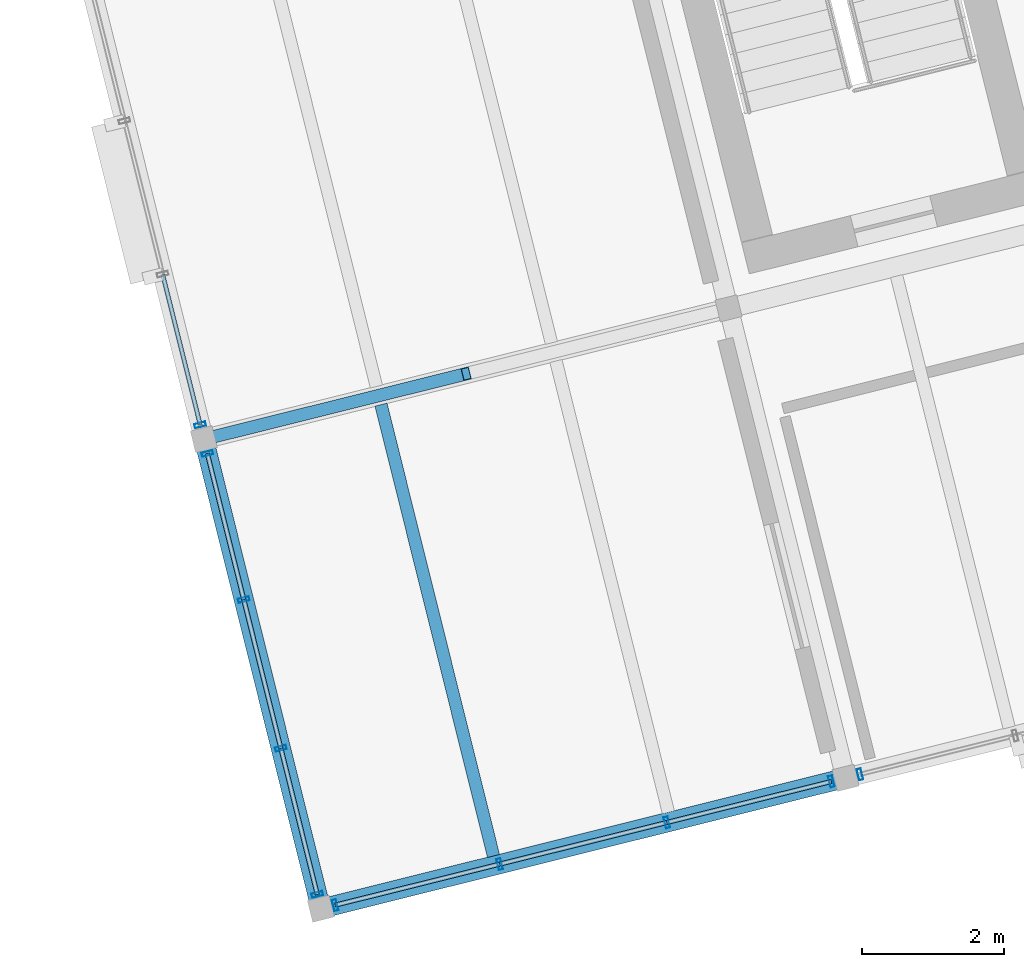
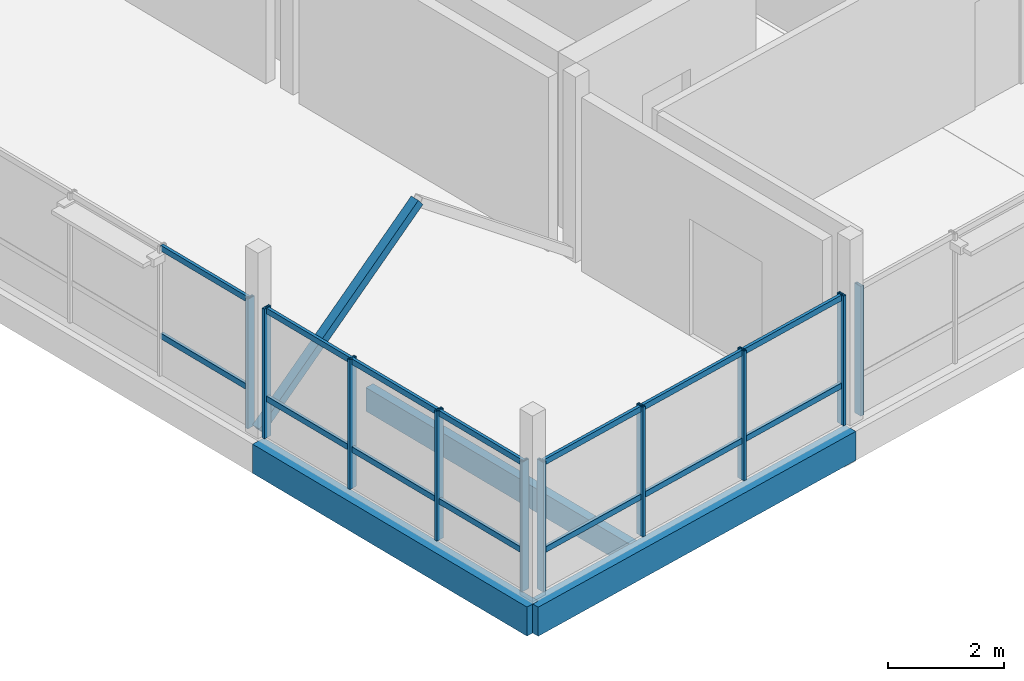
# One storey, part 2 of 24: 25 members, 3 beams, 4 elements without a shape of their own.
"""IFC4 building model written with IfcOpenShell, lengths in metres."""

from ifc_helpers import new_model, si_unit, direction, frame, origin, origin_2d, place, context, subcontext, project, spatial, rectangle, hollow_rectangle, extrude, material, layer, layer_set, material_profile, profile_set, type_object, element, aggregate, save


model = new_model("IFC4")

# Units and contexts
model_context = context("Model", 3, precision=1e-05, world=origin(), true_north=direction((0.0, 1.0)))
body_context = subcontext(model_context, "Body", "Model", "MODEL_VIEW")
ifc_project = project(units=[si_unit("LENGTHUNIT", "METRE"), si_unit("AREAUNIT", "SQUARE_METRE"), si_unit("VOLUMEUNIT", "CUBIC_METRE"), si_unit("PLANEANGLEUNIT", "RADIAN"), si_unit("MASSUNIT", "GRAM", prefix="KILO")], contexts=[model_context])

# Site, building, storey
site_placement = place(None, origin())
site = spatial("IfcSite", under=ifc_project, at=site_placement, CompositionType="ELEMENT")
building_placement = place(site_placement, origin())
building = spatial("IfcBuilding", under=site, at=building_placement, Name="Meriwether Solvik Hall", CompositionType="ELEMENT")
storey_placement = place(building_placement, frame((0.0, 0.0, 57.300048828125)))
storey = spatial("IfcBuildingStorey", under=building, at=storey_placement, Name="L14", CompositionType="ELEMENT", Elevation=57.300048828125)

# Beams
ifc_material_1 = material(Name="Glulam Douglas-Fir 24F-V8 GL28h", Category="wood")
ifc_material_profile_1 = material_profile(ifc_material_1, rectangle(XDim=0.27294921875, YDim=0.610107421875, at=origin_2d()), Name="GLB-273X610")
ifc_profile_set_1 = profile_set([ifc_material_profile_1], Name="Glulam Douglas-Fir 24F-V8 GL28h")
beam_type_1 = type_object("IfcBeamType", Name="BM-GL-273X610", PredefinedType="SPANDREL", material=ifc_profile_set_1)
beam_1_placement = place(storey_placement, frame((68.60009765625, 41.199951171875, -0.505126953125), z_axis=(0.970295366785, 0.241923337436, 0.0), x_axis=(-0.241923337436, 0.970295366785, 0.0)))
element("IfcBeam", 1, at=beam_1_placement, inside=storey, type_object=beam_type_1, Name="Tower Girder TA:T1-T2 (L14)", PredefinedType="SPANDREL", context=body_context, shape_type="SweptSolid", body=[
    extrude(rectangle(XDim=0.27294921875, YDim=0.610107421875, at=origin_2d()), origin(), (0.0, 0.0, 1.0), 7.60009765625),
])
beam_2_placement = place(storey_placement, frame((68.60009765625, 41.199951171875, -0.505126953125), z_axis=(-0.241944251278, 0.970290152106, 0.0), x_axis=(-0.970290152106, -0.241944251278, 0.0)))
element("IfcBeam", 2, at=beam_2_placement, inside=storey, type_object=beam_type_1, Name="Tower Girder T1:TA-TB (L14)", PredefinedType="SPANDREL", context=body_context, shape_type="SweptSolid", body=[
    extrude(rectangle(XDim=0.27294921875, YDim=0.610107421875, at=origin_2d()), origin(), (0.0, 0.0, 1.0), 6.80029296875),
])

# Curtain wall, members
ifc_material_2 = material(Name="Thermally Broken Anodised Aluminium 6063-T6 and Low-E Glass", Category="aluminium")
ifc_layer_1 = layer(ifc_material_2, 0.179931640625)
ifc_layer_set_1 = layer_set([ifc_layer_1], Name="Thermally Broken Anodised Aluminium 6063-T6 and Low-E Glass")
curtain_wall_type_1 = type_object("IfcCurtainWallType", Name="CW-UNIT-E", PredefinedType="USERDEFINED", material=ifc_layer_set_1)
curtain_wall_1_placement = place(storey_placement, origin())
curtain_wall_1 = element("IfcCurtainWall", 3, at=curtain_wall_1_placement, inside=storey, type_object=curtain_wall_type_1, Name="Curtain Wall E0_B0 (L14)", ObjectType="UNITISED CURTAIN WALL", PredefinedType="USERDEFINED")
ifc_material_3 = material(Name="Anodised Aluminium 6063-T6", Category="aluminium")
ifc_material_profile_2 = material_profile(ifc_material_3, hollow_rectangle(XDim=0.06005859375, YDim=0.159912109375, WallThickness=0.00390625, at=origin_2d()), Name="CWM-60X160")
ifc_profile_set_2 = profile_set([ifc_material_profile_2], Name="Anodised Aluminium 6063-T6")
member_type_1 = type_object("IfcMemberType", Name="CW-MUL-60X160", PredefinedType="MULLION", material=ifc_profile_set_2)
member_1_placement = place(storey_placement, frame((75.77294921875, 42.988525390625, 0.0), z_axis=(0.0, 0.0, 1.0), x_axis=(-0.970295720361, -0.241921919325, 0.0)))
member_1 = element("IfcMember", 4, at=member_1_placement, type_object=member_type_1, Name="Curtain Wall Mullion 1", PredefinedType="MULLION", context=body_context, shape_type="SweptSolid", body=[
    extrude(hollow_rectangle(XDim=0.06005859375, YDim=0.159912109375, WallThickness=0.00390625, at=origin_2d()), origin(), (0.0, 0.0, 1.0), 2.724853515625),
])
member_2_placement = place(storey_placement, frame((73.46142578125, 42.412109375, 0.0), z_axis=(0.0, 0.0, 1.0), x_axis=(-0.970295720361, -0.241921919325, 0.0)))
member_2 = element("IfcMember", 5, at=member_2_placement, type_object=member_type_1, Name="Curtain Wall Mullion 2", PredefinedType="MULLION", context=body_context, shape_type="SweptSolid", body=[
    extrude(hollow_rectangle(XDim=0.06005859375, YDim=0.159912109375, WallThickness=0.00390625, at=origin_2d()), origin(), (0.0, 0.0, 1.0), 2.724853515625),
])
member_3_placement = place(storey_placement, frame((71.11279296875, 41.82666015625, 0.0), z_axis=(0.0, 0.0, 1.0), x_axis=(-0.970295720361, -0.241921919325, 0.0)))
member_3 = element("IfcMember", 6, at=member_3_placement, type_object=member_type_1, Name="Curtain Wall Mullion 3", PredefinedType="MULLION", context=body_context, shape_type="SweptSolid", body=[
    extrude(hollow_rectangle(XDim=0.06005859375, YDim=0.159912109375, WallThickness=0.00390625, at=origin_2d()), origin(), (0.0, 0.0, 1.0), 2.724853515625),
])
member_4_placement = place(storey_placement, frame((68.80126953125, 41.250244140625, 0.0), z_axis=(0.0, 0.0, 1.0), x_axis=(-0.970295720361, -0.241921919325, 0.0)))
member_4 = element("IfcMember", 7, at=member_4_placement, type_object=member_type_1, Name="Curtain Wall Mullion 4", PredefinedType="MULLION", context=body_context, shape_type="SweptSolid", body=[
    extrude(hollow_rectangle(XDim=0.06005859375, YDim=0.159912109375, WallThickness=0.00390625, at=origin_2d()), origin(), (0.0, 0.0, 1.0), 2.724853515625),
])

# Curtain wall, member
ifc_material_4 = material(Name="Thermally Broken Anodised Aluminium 6063-T6 and Low-E Glass", Category="aluminium")
ifc_layer_2 = layer(ifc_material_4, 0.179931640625)
ifc_layer_set_2 = layer_set([ifc_layer_2], Name="Thermally Broken Anodised Aluminium 6063-T6 and Low-E Glass")
curtain_wall_type_2 = type_object("IfcCurtainWallType", Name="CW-UNIT-F", PredefinedType="USERDEFINED", material=ifc_layer_set_2)
curtain_wall_2_placement = place(storey_placement, origin())
curtain_wall_2 = element("IfcCurtainWall", 8, at=curtain_wall_2_placement, inside=storey, type_object=curtain_wall_type_2, Name="Curtain Wall E0_B1 (L14)", ObjectType="UNITISED CURTAIN WALL", PredefinedType="USERDEFINED")
member_5_placement = place(storey_placement, frame((76.175537109375, 43.0888671875, 0.0), z_axis=(0.0, 0.0, 1.0), x_axis=(-0.970295730764, -0.241921877598, 0.0)))
member_5 = element("IfcMember", 9, at=member_5_placement, type_object=member_type_1, Name="Curtain Wall Mullion 4", PredefinedType="MULLION", context=body_context, shape_type="SweptSolid", body=[
    extrude(hollow_rectangle(XDim=0.06005859375, YDim=0.159912109375, WallThickness=0.00390625, at=origin_2d()), origin(), (0.0, 0.0, 1.0), 2.724853515625),
])
aggregate(curtain_wall_2, [member_5])

# Curtain wall, members
ifc_material_5 = material(Name="Thermally Broken Anodised Aluminium 6063-T6 and Low-E Glass", Category="aluminium")
ifc_layer_3 = layer(ifc_material_5, 0.179931640625)
ifc_layer_set_3 = layer_set([ifc_layer_3], Name="Thermally Broken Anodised Aluminium 6063-T6 and Low-E Glass")
curtain_wall_type_3 = type_object("IfcCurtainWallType", Name="CW-UNIT-A", PredefinedType="USERDEFINED", material=ifc_layer_set_3)
curtain_wall_3_placement = place(storey_placement, origin())
curtain_wall_3 = element("IfcCurtainWall", 10, at=curtain_wall_3_placement, inside=storey, type_object=curtain_wall_type_3, Name="Curtain Wall E3_B0 (L14)", ObjectType="UNITISED CURTAIN WALL", PredefinedType="USERDEFINED")
member_6_placement = place(storey_placement, frame((68.5498046875, 41.4013671875, 0.0), z_axis=(0.0, 0.0, 1.0), x_axis=(-0.241921830705, 0.970295742456, 0.0)))
member_6 = element("IfcMember", 11, at=member_6_placement, type_object=member_type_1, Name="Curtain Wall Mullion 1", PredefinedType="MULLION", context=body_context, shape_type="SweptSolid", body=[
    extrude(hollow_rectangle(XDim=0.06005859375, YDim=0.159912109375, WallThickness=0.00390625, at=origin_2d()), origin(), (0.0, 0.0, 1.0), 2.724853515625),
])
member_7_placement = place(storey_placement, frame((68.0380859375, 43.4541015625, 0.0), z_axis=(0.0, 0.0, 1.0), x_axis=(-0.241921830705, 0.970295742456, 0.0)))
member_7 = element("IfcMember", 12, at=member_7_placement, type_object=member_type_1, Name="Curtain Wall Mullion 2", PredefinedType="MULLION", context=body_context, shape_type="SweptSolid", body=[
    extrude(hollow_rectangle(XDim=0.06005859375, YDim=0.159912109375, WallThickness=0.00390625, at=origin_2d()), origin(), (0.0, 0.0, 1.0), 2.724853515625),
])
member_8_placement = place(storey_placement, frame((67.516845703125, 45.5439453125, 0.0), z_axis=(0.0, 0.0, 1.0), x_axis=(-0.241921830705, 0.970295742456, 0.0)))
member_8 = element("IfcMember", 13, at=member_8_placement, type_object=member_type_1, Name="Curtain Wall Mullion 3", PredefinedType="MULLION", context=body_context, shape_type="SweptSolid", body=[
    extrude(hollow_rectangle(XDim=0.06005859375, YDim=0.159912109375, WallThickness=0.00390625, at=origin_2d()), origin(), (0.0, 0.0, 1.0), 2.724853515625),
])
member_9_placement = place(storey_placement, frame((67.005126953125, 47.5966796875, 0.0), z_axis=(0.0, 0.0, 1.0), x_axis=(-0.241921830705, 0.970295742456, 0.0)))
member_9 = element("IfcMember", 14, at=member_9_placement, type_object=member_type_1, Name="Curtain Wall Mullion 4", PredefinedType="MULLION", context=body_context, shape_type="SweptSolid", body=[
    extrude(hollow_rectangle(XDim=0.06005859375, YDim=0.159912109375, WallThickness=0.00390625, at=origin_2d()), origin(), (0.0, 0.0, 1.0), 2.724853515625),
])

# Curtain wall, member
ifc_material_6 = material(Name="Thermally Broken Anodised Aluminium 6063-T6 and Low-E Glass", Category="aluminium")
ifc_layer_4 = layer(ifc_material_6, 0.179931640625)
ifc_layer_set_4 = layer_set([ifc_layer_4], Name="Thermally Broken Anodised Aluminium 6063-T6 and Low-E Glass")
curtain_wall_type_4 = type_object("IfcCurtainWallType", Name="CW-UNIT-B", PredefinedType="USERDEFINED", material=ifc_layer_set_4)
curtain_wall_4_placement = place(storey_placement, origin())
curtain_wall_4 = element("IfcCurtainWall", 15, at=curtain_wall_4_placement, inside=storey, type_object=curtain_wall_type_4, Name="Curtain Wall E3_B1 (L14)", ObjectType="UNITISED CURTAIN WALL", PredefinedType="USERDEFINED")
member_10_placement = place(storey_placement, frame((66.90478515625, 47.999267578125, 0.0), z_axis=(0.0, 0.0, 1.0), x_axis=(-0.241921784185, 0.970295754055, 0.0)))
member_10 = element("IfcMember", 16, at=member_10_placement, type_object=member_type_1, Name="Curtain Wall Mullion 1", PredefinedType="MULLION", context=body_context, shape_type="SweptSolid", body=[
    extrude(hollow_rectangle(XDim=0.06005859375, YDim=0.159912109375, WallThickness=0.00390625, at=origin_2d()), origin(), (0.0, 0.0, 1.0), 2.724853515625),
])

# Member
ifc_material_7 = material(Name="Anodised Aluminium 6063-T6", Category="aluminium")
ifc_material_profile_3 = material_profile(ifc_material_7, hollow_rectangle(XDim=0.06005859375, YDim=0.1201171875, WallThickness=0.00390625, at=origin_2d()), Name="CWT-60X120")
ifc_profile_set_3 = profile_set([ifc_material_profile_3], Name="Anodised Aluminium 6063-T6")
member_type_2 = type_object("IfcMemberType", Name="CW-TRN-60X120", PredefinedType="USERDEFINED", material=ifc_profile_set_3)
member_11_placement = place(storey_placement, frame((75.77294921875, 42.988525390625, 0.8173828125), z_axis=(-0.970287006133, -0.241956867499, 0.0), x_axis=(0.241956867499, -0.970287006133, 0.0)))
member_11 = element("IfcMember", 17, at=member_11_placement, type_object=member_type_2, Name="Curtain Wall Transom 1-sill", ObjectType="TRANSOM", PredefinedType="USERDEFINED", context=body_context, shape_type="SweptSolid", body=[
    extrude(hollow_rectangle(XDim=0.06005859375, YDim=0.1201171875, WallThickness=0.00390625, at=origin_2d()), origin(), (0.0, 0.0, 1.0), 2.38232421875),
])

member_12_placement = place(storey_placement, frame((75.77294921875, 42.988525390625, 2.6650390625), z_axis=(-0.970287006133, -0.241956867499, 0.0), x_axis=(0.241956867499, -0.970287006133, 0.0)))
member_12 = element("IfcMember", 18, at=member_12_placement, type_object=member_type_2, Name="Curtain Wall Transom 1-head", ObjectType="TRANSOM", PredefinedType="USERDEFINED", context=body_context, shape_type="SweptSolid", body=[
    extrude(hollow_rectangle(XDim=0.06005859375, YDim=0.1201171875, WallThickness=0.00390625, at=origin_2d()), origin(), (0.0, 0.0, 1.0), 2.38232421875),
])

member_13_placement = place(storey_placement, frame((73.46142578125, 42.412109375, 0.8173828125), z_axis=(-0.970308400941, -0.241871054621, 0.0), x_axis=(0.241871054621, -0.970308400941, 0.0)))
member_13 = element("IfcMember", 19, at=member_13_placement, type_object=member_type_2, Name="Curtain Wall Transom 2-sill", ObjectType="TRANSOM", PredefinedType="USERDEFINED", context=body_context, shape_type="SweptSolid", body=[
    extrude(hollow_rectangle(XDim=0.06005859375, YDim=0.1201171875, WallThickness=0.00390625, at=origin_2d()), origin(), (0.0, 0.0, 1.0), 2.42041015625),
])

member_14_placement = place(storey_placement, frame((73.46142578125, 42.412109375, 2.6650390625), z_axis=(-0.970308400941, -0.241871054621, 0.0), x_axis=(0.241871054621, -0.970308400941, 0.0)))
member_14 = element("IfcMember", 20, at=member_14_placement, type_object=member_type_2, Name="Curtain Wall Transom 2-head", ObjectType="TRANSOM", PredefinedType="USERDEFINED", context=body_context, shape_type="SweptSolid", body=[
    extrude(hollow_rectangle(XDim=0.06005859375, YDim=0.1201171875, WallThickness=0.00390625, at=origin_2d()), origin(), (0.0, 0.0, 1.0), 2.42041015625),
])

member_15_placement = place(storey_placement, frame((71.11279296875, 41.82666015625, 0.8173828125), z_axis=(-0.970287006133, -0.241956867499, 0.0), x_axis=(0.241956867499, -0.970287006133, 0.0)))
member_15 = element("IfcMember", 21, at=member_15_placement, type_object=member_type_2, Name="Curtain Wall Transom 3-sill", ObjectType="TRANSOM", PredefinedType="USERDEFINED", context=body_context, shape_type="SweptSolid", body=[
    extrude(hollow_rectangle(XDim=0.06005859375, YDim=0.1201171875, WallThickness=0.00390625, at=origin_2d()), origin(), (0.0, 0.0, 1.0), 2.38232421875),
])

member_16_placement = place(storey_placement, frame((71.11279296875, 41.82666015625, 2.6650390625), z_axis=(-0.970287006133, -0.241956867499, 0.0), x_axis=(0.241956867499, -0.970287006133, 0.0)))
member_16 = element("IfcMember", 22, at=member_16_placement, type_object=member_type_2, Name="Curtain Wall Transom 3-head", ObjectType="TRANSOM", PredefinedType="USERDEFINED", context=body_context, shape_type="SweptSolid", body=[
    extrude(hollow_rectangle(XDim=0.06005859375, YDim=0.1201171875, WallThickness=0.00390625, at=origin_2d()), origin(), (0.0, 0.0, 1.0), 2.38232421875),
])

aggregate(curtain_wall_1, [member_1, member_2, member_3, member_4, member_11, member_12, member_13, member_14, member_15, member_16])

member_17_placement = place(storey_placement, frame((68.5498046875, 41.4013671875, 0.8173828125), z_axis=(-0.24188388495, 0.970305202605, 0.0), x_axis=(-0.970305202605, -0.24188388495, 0.0)))
member_17 = element("IfcMember", 23, at=member_17_placement, type_object=member_type_2, Name="Curtain Wall Transom 1-sill", ObjectType="TRANSOM", PredefinedType="USERDEFINED", context=body_context, shape_type="SweptSolid", body=[
    extrude(hollow_rectangle(XDim=0.06005859375, YDim=0.1201171875, WallThickness=0.00390625, at=origin_2d()), origin(), (0.0, 0.0, 1.0), 2.115478515625),
])

member_18_placement = place(storey_placement, frame((68.5498046875, 41.4013671875, 2.6650390625), z_axis=(-0.24188388495, 0.970305202605, 0.0), x_axis=(-0.970305202605, -0.24188388495, 0.0)))
member_18 = element("IfcMember", 24, at=member_18_placement, type_object=member_type_2, Name="Curtain Wall Transom 1-head", ObjectType="TRANSOM", PredefinedType="USERDEFINED", context=body_context, shape_type="SweptSolid", body=[
    extrude(hollow_rectangle(XDim=0.06005859375, YDim=0.1201171875, WallThickness=0.00390625, at=origin_2d()), origin(), (0.0, 0.0, 1.0), 2.115478515625),
])

member_19_placement = place(storey_placement, frame((68.0380859375, 43.4541015625, 0.8173828125), z_axis=(-0.242002176772, 0.970275706404, 0.0), x_axis=(-0.970275706404, -0.242002176772, 0.0)))
member_19 = element("IfcMember", 25, at=member_19_placement, type_object=member_type_2, Name="Curtain Wall Transom 2-sill", ObjectType="TRANSOM", PredefinedType="USERDEFINED", context=body_context, shape_type="SweptSolid", body=[
    extrude(hollow_rectangle(XDim=0.06005859375, YDim=0.1201171875, WallThickness=0.00390625, at=origin_2d()), origin(), (0.0, 0.0, 1.0), 2.15380859375),
])

member_20_placement = place(storey_placement, frame((68.0380859375, 43.4541015625, 2.6650390625), z_axis=(-0.242002176772, 0.970275706404, 0.0), x_axis=(-0.970275706404, -0.242002176772, 0.0)))
member_20 = element("IfcMember", 26, at=member_20_placement, type_object=member_type_2, Name="Curtain Wall Transom 2-head", ObjectType="TRANSOM", PredefinedType="USERDEFINED", context=body_context, shape_type="SweptSolid", body=[
    extrude(hollow_rectangle(XDim=0.06005859375, YDim=0.1201171875, WallThickness=0.00390625, at=origin_2d()), origin(), (0.0, 0.0, 1.0), 2.15380859375),
])

member_21_placement = place(storey_placement, frame((67.516845703125, 45.5439453125, 0.8173828125), z_axis=(-0.24188388495, 0.970305202605, 0.0), x_axis=(-0.970305202605, -0.24188388495, 0.0)))
member_21 = element("IfcMember", 27, at=member_21_placement, type_object=member_type_2, Name="Curtain Wall Transom 3-sill", ObjectType="TRANSOM", PredefinedType="USERDEFINED", context=body_context, shape_type="SweptSolid", body=[
    extrude(hollow_rectangle(XDim=0.06005859375, YDim=0.1201171875, WallThickness=0.00390625, at=origin_2d()), origin(), (0.0, 0.0, 1.0), 2.115478515625),
])

member_22_placement = place(storey_placement, frame((67.516845703125, 45.5439453125, 2.6650390625), z_axis=(-0.24188388495, 0.970305202605, 0.0), x_axis=(-0.970305202605, -0.24188388495, 0.0)))
member_22 = element("IfcMember", 28, at=member_22_placement, type_object=member_type_2, Name="Curtain Wall Transom 3-head", ObjectType="TRANSOM", PredefinedType="USERDEFINED", context=body_context, shape_type="SweptSolid", body=[
    extrude(hollow_rectangle(XDim=0.06005859375, YDim=0.1201171875, WallThickness=0.00390625, at=origin_2d()), origin(), (0.0, 0.0, 1.0), 2.115478515625),
])

aggregate(curtain_wall_3, [member_6, member_7, member_8, member_9, member_17, member_18, member_19, member_20, member_21, member_22])

member_23_placement = place(storey_placement, frame((66.90478515625, 47.999267578125, 0.8173828125), z_axis=(-0.241956533808, 0.970287089344, 0.0), x_axis=(-0.970287089344, -0.241956533808, 0.0)))
member_23 = element("IfcMember", 29, at=member_23_placement, type_object=member_type_2, Name="Curtain Wall Transom 1-sill", ObjectType="TRANSOM", PredefinedType="USERDEFINED", context=body_context, shape_type="SweptSolid", body=[
    extrude(hollow_rectangle(XDim=0.06005859375, YDim=0.1201171875, WallThickness=0.00390625, at=origin_2d()), origin(), (0.0, 0.0, 1.0), 2.1826171875),
])

member_24_placement = place(storey_placement, frame((66.90478515625, 47.999267578125, 2.6650390625), z_axis=(-0.241956533808, 0.970287089344, 0.0), x_axis=(-0.970287089344, -0.241956533808, 0.0)))
member_24 = element("IfcMember", 30, at=member_24_placement, type_object=member_type_2, Name="Curtain Wall Transom 1-head", ObjectType="TRANSOM", PredefinedType="USERDEFINED", context=body_context, shape_type="SweptSolid", body=[
    extrude(hollow_rectangle(XDim=0.06005859375, YDim=0.1201171875, WallThickness=0.00390625, at=origin_2d()), origin(), (0.0, 0.0, 1.0), 2.1826171875),
])

aggregate(curtain_wall_4, [member_10, member_23, member_24])

# Beam
ifc_material_8 = material(Name="Glulam Douglas-Fir 24F-V8 GL28h", Category="wood")
ifc_material_profile_4 = material_profile(ifc_material_8, rectangle(XDim=0.175048828125, YDim=0.4951171875, at=origin_2d()), Name="GLJ-175X495")
ifc_profile_set_4 = profile_set([ifc_material_profile_4], Name="Glulam Douglas-Fir 24F-V8 GL28h")
beam_type_2 = type_object("IfcBeamType", Name="JST-GL-175X495", PredefinedType="JOIST", material=ifc_profile_set_4)
beam_3_placement = place(storey_placement, frame((71.026123046875, 41.9404296875, -0.447509765625), z_axis=(-0.241902854765, 0.970300473491, 0.0), x_axis=(-0.970300473491, -0.241902854765, 0.0)))
element("IfcBeam", 31, at=beam_3_placement, inside=storey, type_object=beam_type_2, Name="Glulam Floor Joist T1/TA-J1 (L14)", PredefinedType="JOIST", context=body_context, shape_type="SweptSolid", body=[
    extrude(rectangle(XDim=0.175048828125, YDim=0.4951171875, at=origin_2d()), origin(), (0.0, 0.0, 1.0), 6.536865234375),
])

# Member
ifc_material_9 = material(Name="Steel A500 Grade C", Category="steel")
ifc_material_profile_5 = material_profile(ifc_material_9, hollow_rectangle(XDim=0.177978515625, YDim=0.177978515625, WallThickness=0.009521484375, at=origin_2d()), Name="HSS178X178X9.5")
ifc_profile_set_5 = profile_set([ifc_material_profile_5], Name="Steel A500 Grade C")
member_type_3 = type_object("IfcMemberType", Name="MEM-BR-HSS178", PredefinedType="BRACE", material=ifc_profile_set_5)
member_25_placement = place(storey_placement, frame((66.954833984375, 47.798095703125, 0.050048828125), z_axis=(0.765489629065, 0.190827547734, 0.614500182929), x_axis=(-0.241885553952, 0.970304786544, 0.0)))
element("IfcMember", 32, at=member_25_placement, inside=storey, type_object=member_type_3, Name="Tower Chevron Brace L14-B1A", PredefinedType="BRACE", context=body_context, shape_type="SweptSolid", body=[
    extrude(hollow_rectangle(XDim=0.177978515625, YDim=0.177978515625, WallThickness=0.009521484375, at=origin_2d()), origin(), (0.0, 0.0, 1.0), 4.81689453125),
])

save(model, "model.ifc")
